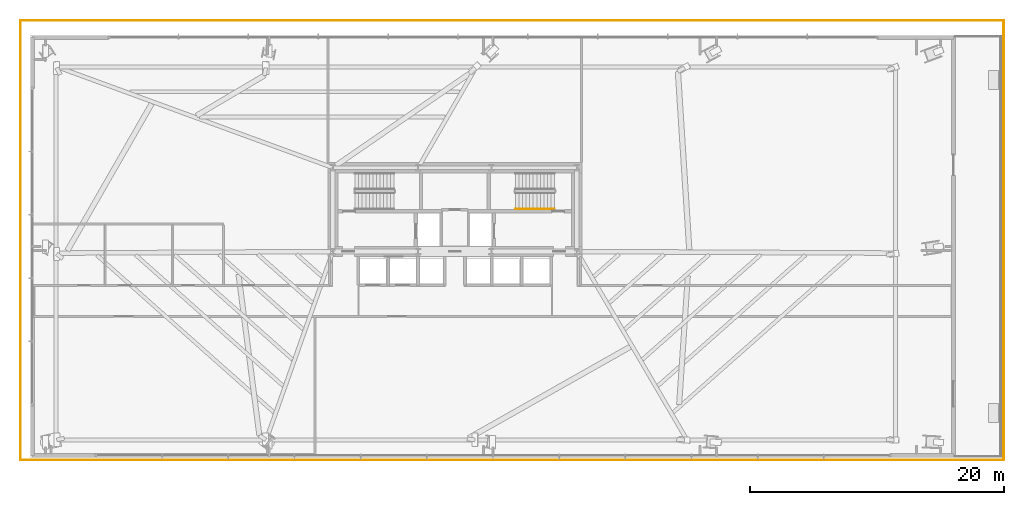
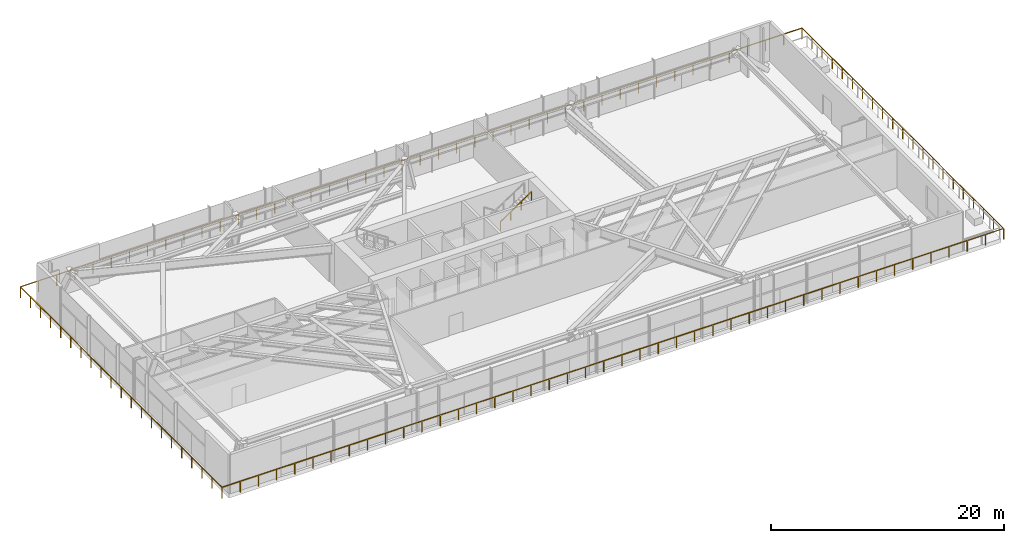
# One storey, part 30 of 33: 3 railings.
"""IFC4 building model written with IfcOpenShell, lengths in metres."""

from ifc_helpers import new_model, si_unit, direction, frame, origin, origin_2d, place, context, subcontext, project, spatial, rectangle, extrude, source, transform, mapped, material, type_object, type_shapes, element, save


model = new_model("IFC4")

# Units and contexts
model_context = context("Model", 3, precision=1e-05, world=origin(), true_north=direction((0.0, 1.0)))
body_context = subcontext(model_context, "Body", "Model", "MODEL_VIEW")
ifc_project = project(units=[si_unit("LENGTHUNIT", "METRE"), si_unit("AREAUNIT", "SQUARE_METRE"), si_unit("VOLUMEUNIT", "CUBIC_METRE"), si_unit("PLANEANGLEUNIT", "RADIAN"), si_unit("MASSUNIT", "GRAM", prefix="KILO")], contexts=[model_context])

# Site, building, storey
site_placement = place(None, origin())
site = spatial("IfcSite", under=ifc_project, at=site_placement, CompositionType="ELEMENT")
building_placement = place(site_placement, origin())
building = spatial("IfcBuilding", under=site, at=building_placement, Name="Astriad Promenade Condominiums", CompositionType="ELEMENT")
storey_placement = place(building_placement, frame((0.0, 0.0, 9.5)))
storey = spatial("IfcBuildingStorey", under=building, at=storey_placement, Name="L02", CompositionType="ELEMENT", Elevation=9.5)

# Railings
ifc_material_1 = material(Name="Anodised Aluminium and Glass Terrace Guardrail", Category="aluminium")
railing_type_1 = type_object("IfcRailingType", Name="GRD-TERR-1150", PredefinedType="GUARDRAIL", material=ifc_material_1)
shared_shape_1 = source(origin(), body_context, "Body", "SweptSolid", [
    extrude(rectangle(XDim=0.048095703125, YDim=0.048095703125, at=origin_2d()), frame((0.0, 0.0, 1.1259765625), z_axis=(0.0, -1.0, 0.0), x_axis=(1.0, 0.0, 0.0)), (0.0, 0.0, 1.0), 34.60009765625),
    extrude(rectangle(XDim=0.048095703125, YDim=0.048095703125, at=origin_2d()), frame((0.0, -34.60009765625, 1.1259765625), z_axis=(-1.0, 0.0, 0.0), x_axis=(0.0, -1.0, 0.0)), (0.0, 0.0, 1.0), 77.39990234375),
    extrude(rectangle(XDim=0.0419921875, YDim=0.0419921875, at=origin_2d()), origin(), (0.0, 0.0, 1.0), 1.101806640625),
    extrude(rectangle(XDim=0.0419921875, YDim=0.0419921875, at=origin_2d()), frame((0.0, -1.72998046875, 0.0)), (0.0, 0.0, 1.0), 1.101806640625),
    extrude(rectangle(XDim=0.0419921875, YDim=0.0419921875, at=origin_2d()), frame((0.0, -3.4599609375, 0.0)), (0.0, 0.0, 1.0), 1.101806640625),
    extrude(rectangle(XDim=0.0419921875, YDim=0.0419921875, at=origin_2d()), frame((0.0, -5.18994140625, 0.0)), (0.0, 0.0, 1.0), 1.101806640625),
    extrude(rectangle(XDim=0.0419921875, YDim=0.0419921875, at=origin_2d()), frame((0.0, -6.919921875, 0.0)), (0.0, 0.0, 1.0), 1.101806640625),
    extrude(rectangle(XDim=0.0419921875, YDim=0.0419921875, at=origin_2d()), frame((0.0, -8.64990234375, 0.0)), (0.0, 0.0, 1.0), 1.101806640625),
    extrude(rectangle(XDim=0.0419921875, YDim=0.0419921875, at=origin_2d()), frame((0.0, -10.380126953125, 0.0)), (0.0, 0.0, 1.0), 1.101806640625),
    extrude(rectangle(XDim=0.0419921875, YDim=0.0419921875, at=origin_2d()), frame((0.0, -12.110107421875, 0.0)), (0.0, 0.0, 1.0), 1.101806640625),
    extrude(rectangle(XDim=0.0419921875, YDim=0.0419921875, at=origin_2d()), frame((0.0, -13.840087890625, 0.0)), (0.0, 0.0, 1.0), 1.101806640625),
    extrude(rectangle(XDim=0.0419921875, YDim=0.0419921875, at=origin_2d()), frame((0.0, -15.570068359375, 0.0)), (0.0, 0.0, 1.0), 1.101806640625),
    extrude(rectangle(XDim=0.0419921875, YDim=0.0419921875, at=origin_2d()), frame((0.0, -17.300048828125, 0.0)), (0.0, 0.0, 1.0), 1.101806640625),
    extrude(rectangle(XDim=0.0419921875, YDim=0.0419921875, at=origin_2d()), frame((0.0, -19.030029296875, 0.0)), (0.0, 0.0, 1.0), 1.101806640625),
    extrude(rectangle(XDim=0.0419921875, YDim=0.0419921875, at=origin_2d()), frame((0.0, -20.760009765625, 0.0)), (0.0, 0.0, 1.0), 1.101806640625),
    extrude(rectangle(XDim=0.0419921875, YDim=0.0419921875, at=origin_2d()), frame((0.0, -22.489990234375, 0.0)), (0.0, 0.0, 1.0), 1.101806640625),
    extrude(rectangle(XDim=0.0419921875, YDim=0.0419921875, at=origin_2d()), frame((0.0, -24.219970703125, 0.0)), (0.0, 0.0, 1.0), 1.101806640625),
    extrude(rectangle(XDim=0.0419921875, YDim=0.0419921875, at=origin_2d()), frame((0.0, -25.9501953125, 0.0)), (0.0, 0.0, 1.0), 1.101806640625),
    extrude(rectangle(XDim=0.0419921875, YDim=0.0419921875, at=origin_2d()), frame((0.0, -27.68017578125, 0.0)), (0.0, 0.0, 1.0), 1.101806640625),
    extrude(rectangle(XDim=0.0419921875, YDim=0.0419921875, at=origin_2d()), frame((0.0, -29.41015625, 0.0)), (0.0, 0.0, 1.0), 1.101806640625),
    extrude(rectangle(XDim=0.0419921875, YDim=0.0419921875, at=origin_2d()), frame((0.0, -31.14013671875, 0.0)), (0.0, 0.0, 1.0), 1.101806640625),
    extrude(rectangle(XDim=0.0419921875, YDim=0.0419921875, at=origin_2d()), frame((0.0, -32.8701171875, 0.0)), (0.0, 0.0, 1.0), 1.101806640625),
    extrude(rectangle(XDim=0.0419921875, YDim=0.0419921875, at=origin_2d()), frame((0.0, -34.60009765625, 0.0)), (0.0, 0.0, 1.0), 1.101806640625),
    extrude(rectangle(XDim=0.0419921875, YDim=0.0419921875, at=origin_2d()), frame((-1.800048828125, -34.60009765625, 0.0)), (0.0, 0.0, 1.0), 1.101806640625),
    extrude(rectangle(XDim=0.0419921875, YDim=0.0419921875, at=origin_2d()), frame((-3.60009765625, -34.60009765625, 0.0)), (0.0, 0.0, 1.0), 1.101806640625),
    extrude(rectangle(XDim=0.0419921875, YDim=0.0419921875, at=origin_2d()), frame((-5.39990234375, -34.60009765625, 0.0)), (0.0, 0.0, 1.0), 1.101806640625),
    extrude(rectangle(XDim=0.0419921875, YDim=0.0419921875, at=origin_2d()), frame((-7.199951171875, -34.60009765625, 0.0)), (0.0, 0.0, 1.0), 1.101806640625),
    extrude(rectangle(XDim=0.0419921875, YDim=0.0419921875, at=origin_2d()), frame((-9.0, -34.60009765625, 0.0)), (0.0, 0.0, 1.0), 1.101806640625),
    extrude(rectangle(XDim=0.0419921875, YDim=0.0419921875, at=origin_2d()), frame((-10.800048828125, -34.60009765625, 0.0)), (0.0, 0.0, 1.0), 1.101806640625),
    extrude(rectangle(XDim=0.0419921875, YDim=0.0419921875, at=origin_2d()), frame((-12.60009765625, -34.60009765625, 0.0)), (0.0, 0.0, 1.0), 1.101806640625),
    extrude(rectangle(XDim=0.0419921875, YDim=0.0419921875, at=origin_2d()), frame((-14.39990234375, -34.60009765625, 0.0)), (0.0, 0.0, 1.0), 1.101806640625),
    extrude(rectangle(XDim=0.0419921875, YDim=0.0419921875, at=origin_2d()), frame((-16.199951171875, -34.60009765625, 0.0)), (0.0, 0.0, 1.0), 1.101806640625),
    extrude(rectangle(XDim=0.0419921875, YDim=0.0419921875, at=origin_2d()), frame((-18.0, -34.60009765625, 0.0)), (0.0, 0.0, 1.0), 1.101806640625),
    extrude(rectangle(XDim=0.0419921875, YDim=0.0419921875, at=origin_2d()), frame((-19.800048828125, -34.60009765625, 0.0)), (0.0, 0.0, 1.0), 1.101806640625),
    extrude(rectangle(XDim=0.0419921875, YDim=0.0419921875, at=origin_2d()), frame((-21.599853515625, -34.60009765625, 0.0)), (0.0, 0.0, 1.0), 1.101806640625),
    extrude(rectangle(XDim=0.0419921875, YDim=0.0419921875, at=origin_2d()), frame((-23.39990234375, -34.60009765625, 0.0)), (0.0, 0.0, 1.0), 1.101806640625),
    extrude(rectangle(XDim=0.0419921875, YDim=0.0419921875, at=origin_2d()), frame((-25.199951171875, -34.60009765625, 0.0)), (0.0, 0.0, 1.0), 1.101806640625),
    extrude(rectangle(XDim=0.0419921875, YDim=0.0419921875, at=origin_2d()), frame((-27.0, -34.60009765625, 0.0)), (0.0, 0.0, 1.0), 1.101806640625),
    extrude(rectangle(XDim=0.0419921875, YDim=0.0419921875, at=origin_2d()), frame((-28.800048828125, -34.60009765625, 0.0)), (0.0, 0.0, 1.0), 1.101806640625),
    extrude(rectangle(XDim=0.0419921875, YDim=0.0419921875, at=origin_2d()), frame((-30.599853515625, -34.60009765625, 0.0)), (0.0, 0.0, 1.0), 1.101806640625),
    extrude(rectangle(XDim=0.0419921875, YDim=0.0419921875, at=origin_2d()), frame((-32.39990234375, -34.60009765625, 0.0)), (0.0, 0.0, 1.0), 1.101806640625),
    extrude(rectangle(XDim=0.0419921875, YDim=0.0419921875, at=origin_2d()), frame((-34.199951171875, -34.60009765625, 0.0)), (0.0, 0.0, 1.0), 1.101806640625),
    extrude(rectangle(XDim=0.0419921875, YDim=0.0419921875, at=origin_2d()), frame((-36.0, -34.60009765625, 0.0)), (0.0, 0.0, 1.0), 1.101806640625),
    extrude(rectangle(XDim=0.0419921875, YDim=0.0419921875, at=origin_2d()), frame((-37.800048828125, -34.60009765625, 0.0)), (0.0, 0.0, 1.0), 1.101806640625),
    extrude(rectangle(XDim=0.0419921875, YDim=0.0419921875, at=origin_2d()), frame((-39.599853515625, -34.60009765625, 0.0)), (0.0, 0.0, 1.0), 1.101806640625),
    extrude(rectangle(XDim=0.0419921875, YDim=0.0419921875, at=origin_2d()), frame((-41.39990234375, -34.60009765625, 0.0)), (0.0, 0.0, 1.0), 1.101806640625),
    extrude(rectangle(XDim=0.0419921875, YDim=0.0419921875, at=origin_2d()), frame((-43.199951171875, -34.60009765625, 0.0)), (0.0, 0.0, 1.0), 1.101806640625),
    extrude(rectangle(XDim=0.0419921875, YDim=0.0419921875, at=origin_2d()), frame((-45.0, -34.60009765625, 0.0)), (0.0, 0.0, 1.0), 1.101806640625),
    extrude(rectangle(XDim=0.0419921875, YDim=0.0419921875, at=origin_2d()), frame((-46.800048828125, -34.60009765625, 0.0)), (0.0, 0.0, 1.0), 1.101806640625),
    extrude(rectangle(XDim=0.0419921875, YDim=0.0419921875, at=origin_2d()), frame((-48.599853515625, -34.60009765625, 0.0)), (0.0, 0.0, 1.0), 1.101806640625),
    extrude(rectangle(XDim=0.0419921875, YDim=0.0419921875, at=origin_2d()), frame((-50.39990234375, -34.60009765625, 0.0)), (0.0, 0.0, 1.0), 1.101806640625),
    extrude(rectangle(XDim=0.0419921875, YDim=0.0419921875, at=origin_2d()), frame((-52.199951171875, -34.60009765625, 0.0)), (0.0, 0.0, 1.0), 1.101806640625),
    extrude(rectangle(XDim=0.0419921875, YDim=0.0419921875, at=origin_2d()), frame((-54.0, -34.60009765625, 0.0)), (0.0, 0.0, 1.0), 1.101806640625),
    extrude(rectangle(XDim=0.0419921875, YDim=0.0419921875, at=origin_2d()), frame((-55.800048828125, -34.60009765625, 0.0)), (0.0, 0.0, 1.0), 1.101806640625),
    extrude(rectangle(XDim=0.0419921875, YDim=0.0419921875, at=origin_2d()), frame((-57.599853515625, -34.60009765625, 0.0)), (0.0, 0.0, 1.0), 1.101806640625),
    extrude(rectangle(XDim=0.0419921875, YDim=0.0419921875, at=origin_2d()), frame((-59.39990234375, -34.60009765625, 0.0)), (0.0, 0.0, 1.0), 1.101806640625),
    extrude(rectangle(XDim=0.0419921875, YDim=0.0419921875, at=origin_2d()), frame((-61.199951171875, -34.60009765625, 0.0)), (0.0, 0.0, 1.0), 1.101806640625),
    extrude(rectangle(XDim=0.0419921875, YDim=0.0419921875, at=origin_2d()), frame((-63.0, -34.60009765625, 0.0)), (0.0, 0.0, 1.0), 1.101806640625),
    extrude(rectangle(XDim=0.0419921875, YDim=0.0419921875, at=origin_2d()), frame((-64.7998046875, -34.60009765625, 0.0)), (0.0, 0.0, 1.0), 1.101806640625),
    extrude(rectangle(XDim=0.0419921875, YDim=0.0419921875, at=origin_2d()), frame((-66.599853515625, -34.60009765625, 0.0)), (0.0, 0.0, 1.0), 1.101806640625),
    extrude(rectangle(XDim=0.0419921875, YDim=0.0419921875, at=origin_2d()), frame((-68.39990234375, -34.60009765625, 0.0)), (0.0, 0.0, 1.0), 1.101806640625),
    extrude(rectangle(XDim=0.0419921875, YDim=0.0419921875, at=origin_2d()), frame((-70.199951171875, -34.60009765625, 0.0)), (0.0, 0.0, 1.0), 1.101806640625),
    extrude(rectangle(XDim=0.0419921875, YDim=0.0419921875, at=origin_2d()), frame((-72.0, -34.60009765625, 0.0)), (0.0, 0.0, 1.0), 1.101806640625),
    extrude(rectangle(XDim=0.0419921875, YDim=0.0419921875, at=origin_2d()), frame((-73.7998046875, -34.60009765625, 0.0)), (0.0, 0.0, 1.0), 1.101806640625),
    extrude(rectangle(XDim=0.0419921875, YDim=0.0419921875, at=origin_2d()), frame((-75.599853515625, -34.60009765625, 0.0)), (0.0, 0.0, 1.0), 1.101806640625),
    extrude(rectangle(XDim=0.0419921875, YDim=0.0419921875, at=origin_2d()), frame((-77.39990234375, -34.60009765625, 0.0)), (0.0, 0.0, 1.0), 1.101806640625),
])
railing_1_placement = place(storey_placement, frame((79.199951171875, 35.60009765625, 0.0)))
element("IfcRailing", 1, at=railing_1_placement, inside=storey, type_object=railing_type_1, Name="GRD-PSTEP-L02-01", PredefinedType="GUARDRAIL", context=body_context, shape_type="MappedRepresentation", body=[
    mapped(shared_shape_1, transform((0.0, 0.0, 0.0), scale=1.0)),
])
shared_shape_2 = source(origin(), body_context, "Body", "SweptSolid", [
    extrude(rectangle(XDim=0.048095703125, YDim=0.048095703125, at=origin_2d()), frame((0.0, 0.0, 1.1259765625), z_axis=(0.0, 1.0, 0.0), x_axis=(-1.0, 0.0, 0.0)), (0.0, 0.0, 1.0), 34.60009765625),
    extrude(rectangle(XDim=0.048095703125, YDim=0.048095703125, at=origin_2d()), frame((0.0, 34.60009765625, 1.1259765625), z_axis=(1.0, 0.0, 0.0), x_axis=(0.0, 1.0, 0.0)), (0.0, 0.0, 1.0), 77.39990234375),
    extrude(rectangle(XDim=0.0419921875, YDim=0.0419921875, at=origin_2d()), origin(), (0.0, 0.0, 1.0), 1.101806640625),
    extrude(rectangle(XDim=0.0419921875, YDim=0.0419921875, at=origin_2d()), frame((0.0, 1.72998046875, 0.0)), (0.0, 0.0, 1.0), 1.101806640625),
    extrude(rectangle(XDim=0.0419921875, YDim=0.0419921875, at=origin_2d()), frame((0.0, 3.4599609375, 0.0)), (0.0, 0.0, 1.0), 1.101806640625),
    extrude(rectangle(XDim=0.0419921875, YDim=0.0419921875, at=origin_2d()), frame((0.0, 5.18994140625, 0.0)), (0.0, 0.0, 1.0), 1.101806640625),
    extrude(rectangle(XDim=0.0419921875, YDim=0.0419921875, at=origin_2d()), frame((0.0, 6.919921875, 0.0)), (0.0, 0.0, 1.0), 1.101806640625),
    extrude(rectangle(XDim=0.0419921875, YDim=0.0419921875, at=origin_2d()), frame((0.0, 8.64990234375, 0.0)), (0.0, 0.0, 1.0), 1.101806640625),
    extrude(rectangle(XDim=0.0419921875, YDim=0.0419921875, at=origin_2d()), frame((0.0, 10.380126953125, 0.0)), (0.0, 0.0, 1.0), 1.101806640625),
    extrude(rectangle(XDim=0.0419921875, YDim=0.0419921875, at=origin_2d()), frame((0.0, 12.110107421875, 0.0)), (0.0, 0.0, 1.0), 1.101806640625),
    extrude(rectangle(XDim=0.0419921875, YDim=0.0419921875, at=origin_2d()), frame((0.0, 13.840087890625, 0.0)), (0.0, 0.0, 1.0), 1.101806640625),
    extrude(rectangle(XDim=0.0419921875, YDim=0.0419921875, at=origin_2d()), frame((0.0, 15.570068359375, 0.0)), (0.0, 0.0, 1.0), 1.101806640625),
    extrude(rectangle(XDim=0.0419921875, YDim=0.0419921875, at=origin_2d()), frame((0.0, 17.300048828125, 0.0)), (0.0, 0.0, 1.0), 1.101806640625),
    extrude(rectangle(XDim=0.0419921875, YDim=0.0419921875, at=origin_2d()), frame((0.0, 19.030029296875, 0.0)), (0.0, 0.0, 1.0), 1.101806640625),
    extrude(rectangle(XDim=0.0419921875, YDim=0.0419921875, at=origin_2d()), frame((0.0, 20.760009765625, 0.0)), (0.0, 0.0, 1.0), 1.101806640625),
    extrude(rectangle(XDim=0.0419921875, YDim=0.0419921875, at=origin_2d()), frame((0.0, 22.489990234375, 0.0)), (0.0, 0.0, 1.0), 1.101806640625),
    extrude(rectangle(XDim=0.0419921875, YDim=0.0419921875, at=origin_2d()), frame((0.0, 24.219970703125, 0.0)), (0.0, 0.0, 1.0), 1.101806640625),
    extrude(rectangle(XDim=0.0419921875, YDim=0.0419921875, at=origin_2d()), frame((0.0, 25.9501953125, 0.0)), (0.0, 0.0, 1.0), 1.101806640625),
    extrude(rectangle(XDim=0.0419921875, YDim=0.0419921875, at=origin_2d()), frame((0.0, 27.68017578125, 0.0)), (0.0, 0.0, 1.0), 1.101806640625),
    extrude(rectangle(XDim=0.0419921875, YDim=0.0419921875, at=origin_2d()), frame((0.0, 29.41015625, 0.0)), (0.0, 0.0, 1.0), 1.101806640625),
    extrude(rectangle(XDim=0.0419921875, YDim=0.0419921875, at=origin_2d()), frame((0.0, 31.14013671875, 0.0)), (0.0, 0.0, 1.0), 1.101806640625),
    extrude(rectangle(XDim=0.0419921875, YDim=0.0419921875, at=origin_2d()), frame((0.0, 32.8701171875, 0.0)), (0.0, 0.0, 1.0), 1.101806640625),
    extrude(rectangle(XDim=0.0419921875, YDim=0.0419921875, at=origin_2d()), frame((0.0, 34.60009765625, 0.0)), (0.0, 0.0, 1.0), 1.101806640625),
    extrude(rectangle(XDim=0.0419921875, YDim=0.0419921875, at=origin_2d()), frame((1.800048828125, 34.60009765625, 0.0)), (0.0, 0.0, 1.0), 1.101806640625),
    extrude(rectangle(XDim=0.0419921875, YDim=0.0419921875, at=origin_2d()), frame((3.60009765625, 34.60009765625, 0.0)), (0.0, 0.0, 1.0), 1.101806640625),
    extrude(rectangle(XDim=0.0419921875, YDim=0.0419921875, at=origin_2d()), frame((5.39990234375, 34.60009765625, 0.0)), (0.0, 0.0, 1.0), 1.101806640625),
    extrude(rectangle(XDim=0.0419921875, YDim=0.0419921875, at=origin_2d()), frame((7.199951171875, 34.60009765625, 0.0)), (0.0, 0.0, 1.0), 1.101806640625),
    extrude(rectangle(XDim=0.0419921875, YDim=0.0419921875, at=origin_2d()), frame((9.0, 34.60009765625, 0.0)), (0.0, 0.0, 1.0), 1.101806640625),
    extrude(rectangle(XDim=0.0419921875, YDim=0.0419921875, at=origin_2d()), frame((10.800048828125, 34.60009765625, 0.0)), (0.0, 0.0, 1.0), 1.101806640625),
    extrude(rectangle(XDim=0.0419921875, YDim=0.0419921875, at=origin_2d()), frame((12.60009765625, 34.60009765625, 0.0)), (0.0, 0.0, 1.0), 1.101806640625),
    extrude(rectangle(XDim=0.0419921875, YDim=0.0419921875, at=origin_2d()), frame((14.39990234375, 34.60009765625, 0.0)), (0.0, 0.0, 1.0), 1.101806640625),
    extrude(rectangle(XDim=0.0419921875, YDim=0.0419921875, at=origin_2d()), frame((16.199951171875, 34.60009765625, 0.0)), (0.0, 0.0, 1.0), 1.101806640625),
    extrude(rectangle(XDim=0.0419921875, YDim=0.0419921875, at=origin_2d()), frame((18.0, 34.60009765625, 0.0)), (0.0, 0.0, 1.0), 1.101806640625),
    extrude(rectangle(XDim=0.0419921875, YDim=0.0419921875, at=origin_2d()), frame((19.800048828125, 34.60009765625, 0.0)), (0.0, 0.0, 1.0), 1.101806640625),
    extrude(rectangle(XDim=0.0419921875, YDim=0.0419921875, at=origin_2d()), frame((21.599853515625, 34.60009765625, 0.0)), (0.0, 0.0, 1.0), 1.101806640625),
    extrude(rectangle(XDim=0.0419921875, YDim=0.0419921875, at=origin_2d()), frame((23.39990234375, 34.60009765625, 0.0)), (0.0, 0.0, 1.0), 1.101806640625),
    extrude(rectangle(XDim=0.0419921875, YDim=0.0419921875, at=origin_2d()), frame((25.199951171875, 34.60009765625, 0.0)), (0.0, 0.0, 1.0), 1.101806640625),
    extrude(rectangle(XDim=0.0419921875, YDim=0.0419921875, at=origin_2d()), frame((27.0, 34.60009765625, 0.0)), (0.0, 0.0, 1.0), 1.101806640625),
    extrude(rectangle(XDim=0.0419921875, YDim=0.0419921875, at=origin_2d()), frame((28.800048828125, 34.60009765625, 0.0)), (0.0, 0.0, 1.0), 1.101806640625),
    extrude(rectangle(XDim=0.0419921875, YDim=0.0419921875, at=origin_2d()), frame((30.599853515625, 34.60009765625, 0.0)), (0.0, 0.0, 1.0), 1.101806640625),
    extrude(rectangle(XDim=0.0419921875, YDim=0.0419921875, at=origin_2d()), frame((32.39990234375, 34.60009765625, 0.0)), (0.0, 0.0, 1.0), 1.101806640625),
    extrude(rectangle(XDim=0.0419921875, YDim=0.0419921875, at=origin_2d()), frame((34.199951171875, 34.60009765625, 0.0)), (0.0, 0.0, 1.0), 1.101806640625),
    extrude(rectangle(XDim=0.0419921875, YDim=0.0419921875, at=origin_2d()), frame((36.0, 34.60009765625, 0.0)), (0.0, 0.0, 1.0), 1.101806640625),
    extrude(rectangle(XDim=0.0419921875, YDim=0.0419921875, at=origin_2d()), frame((37.800048828125, 34.60009765625, 0.0)), (0.0, 0.0, 1.0), 1.101806640625),
    extrude(rectangle(XDim=0.0419921875, YDim=0.0419921875, at=origin_2d()), frame((39.599853515625, 34.60009765625, 0.0)), (0.0, 0.0, 1.0), 1.101806640625),
    extrude(rectangle(XDim=0.0419921875, YDim=0.0419921875, at=origin_2d()), frame((41.39990234375, 34.60009765625, 0.0)), (0.0, 0.0, 1.0), 1.101806640625),
    extrude(rectangle(XDim=0.0419921875, YDim=0.0419921875, at=origin_2d()), frame((43.199951171875, 34.60009765625, 0.0)), (0.0, 0.0, 1.0), 1.101806640625),
    extrude(rectangle(XDim=0.0419921875, YDim=0.0419921875, at=origin_2d()), frame((45.0, 34.60009765625, 0.0)), (0.0, 0.0, 1.0), 1.101806640625),
    extrude(rectangle(XDim=0.0419921875, YDim=0.0419921875, at=origin_2d()), frame((46.800048828125, 34.60009765625, 0.0)), (0.0, 0.0, 1.0), 1.101806640625),
    extrude(rectangle(XDim=0.0419921875, YDim=0.0419921875, at=origin_2d()), frame((48.599853515625, 34.60009765625, 0.0)), (0.0, 0.0, 1.0), 1.101806640625),
    extrude(rectangle(XDim=0.0419921875, YDim=0.0419921875, at=origin_2d()), frame((50.39990234375, 34.60009765625, 0.0)), (0.0, 0.0, 1.0), 1.101806640625),
    extrude(rectangle(XDim=0.0419921875, YDim=0.0419921875, at=origin_2d()), frame((52.199951171875, 34.60009765625, 0.0)), (0.0, 0.0, 1.0), 1.101806640625),
    extrude(rectangle(XDim=0.0419921875, YDim=0.0419921875, at=origin_2d()), frame((54.0, 34.60009765625, 0.0)), (0.0, 0.0, 1.0), 1.101806640625),
    extrude(rectangle(XDim=0.0419921875, YDim=0.0419921875, at=origin_2d()), frame((55.800048828125, 34.60009765625, 0.0)), (0.0, 0.0, 1.0), 1.101806640625),
    extrude(rectangle(XDim=0.0419921875, YDim=0.0419921875, at=origin_2d()), frame((57.599853515625, 34.60009765625, 0.0)), (0.0, 0.0, 1.0), 1.101806640625),
    extrude(rectangle(XDim=0.0419921875, YDim=0.0419921875, at=origin_2d()), frame((59.39990234375, 34.60009765625, 0.0)), (0.0, 0.0, 1.0), 1.101806640625),
    extrude(rectangle(XDim=0.0419921875, YDim=0.0419921875, at=origin_2d()), frame((61.199951171875, 34.60009765625, 0.0)), (0.0, 0.0, 1.0), 1.101806640625),
    extrude(rectangle(XDim=0.0419921875, YDim=0.0419921875, at=origin_2d()), frame((63.0, 34.60009765625, 0.0)), (0.0, 0.0, 1.0), 1.101806640625),
    extrude(rectangle(XDim=0.0419921875, YDim=0.0419921875, at=origin_2d()), frame((64.7998046875, 34.60009765625, 0.0)), (0.0, 0.0, 1.0), 1.101806640625),
    extrude(rectangle(XDim=0.0419921875, YDim=0.0419921875, at=origin_2d()), frame((66.599853515625, 34.60009765625, 0.0)), (0.0, 0.0, 1.0), 1.101806640625),
    extrude(rectangle(XDim=0.0419921875, YDim=0.0419921875, at=origin_2d()), frame((68.39990234375, 34.60009765625, 0.0)), (0.0, 0.0, 1.0), 1.101806640625),
    extrude(rectangle(XDim=0.0419921875, YDim=0.0419921875, at=origin_2d()), frame((70.199951171875, 34.60009765625, 0.0)), (0.0, 0.0, 1.0), 1.101806640625),
    extrude(rectangle(XDim=0.0419921875, YDim=0.0419921875, at=origin_2d()), frame((72.0, 34.60009765625, 0.0)), (0.0, 0.0, 1.0), 1.101806640625),
    extrude(rectangle(XDim=0.0419921875, YDim=0.0419921875, at=origin_2d()), frame((73.7998046875, 34.60009765625, 0.0)), (0.0, 0.0, 1.0), 1.101806640625),
    extrude(rectangle(XDim=0.0419921875, YDim=0.0419921875, at=origin_2d()), frame((75.599853515625, 34.60009765625, 0.0)), (0.0, 0.0, 1.0), 1.101806640625),
    extrude(rectangle(XDim=0.0419921875, YDim=0.0419921875, at=origin_2d()), frame((77.39990234375, 34.60009765625, 0.0)), (0.0, 0.0, 1.0), 1.101806640625),
])
type_shapes(railing_type_1, [shared_shape_1, shared_shape_2])
railing_2_placement = place(storey_placement, frame((1.800048828125, 1.0, 0.0)))
element("IfcRailing", 2, at=railing_2_placement, inside=storey, type_object=railing_type_1, Name="GRD-PSTEP-L02-02", PredefinedType="GUARDRAIL", context=body_context, shape_type="MappedRepresentation", body=[
    mapped(shared_shape_2, transform((0.0, 0.0, 0.0), scale=1.0)),
])
ifc_material_2 = material(Name="Brushed Stainless Steel Handrail", Category="steel")
railing_type_2 = type_object("IfcRailingType", Name="HRL-STAIR-920", PredefinedType="HANDRAIL", material=ifc_material_2)
shared_shape_3 = source(origin(), body_context, "Body", "SweptSolid", [
    extrude(rectangle(XDim=0.048095703125, YDim=0.048095703125, at=origin_2d()), frame((0.0, 0.0, 0.8759765625), z_axis=(0.830913701846, 0.0, 0.55640131208), x_axis=(0.0, 1.0, 0.0)), (0.0, 0.0, 1.0), 3.706787109375),
    extrude(rectangle(XDim=0.0419921875, YDim=0.0419921875, at=origin_2d()), origin(), (0.0, 0.0, 1.0), 0.851806640625),
    extrude(rectangle(XDim=0.0419921875, YDim=0.0419921875, at=origin_2d()), frame((1.026611328125, 0.0, 0.6875)), (0.0, 0.0, 1.0), 0.851806640625),
    extrude(rectangle(XDim=0.0419921875, YDim=0.0419921875, at=origin_2d()), frame((2.053466796875, 0.0, 1.375)), (0.0, 0.0, 1.0), 0.851806640625),
    extrude(rectangle(XDim=0.0419921875, YDim=0.0419921875, at=origin_2d()), frame((3.080078125, 0.0, 2.0625)), (0.0, 0.0, 1.0), 0.851806640625),
])
type_shapes(railing_type_2, [shared_shape_3])
railing_3_placement = place(storey_placement, frame((40.77001953125, 20.75, 2.4375)))
element("IfcRailing", 3, at=railing_3_placement, inside=storey, type_object=railing_type_2, Name="L02 ST-2 stair handrail 2", PredefinedType="HANDRAIL", context=body_context, shape_type="MappedRepresentation", body=[
    mapped(shared_shape_3, transform((0.0, 0.0, 0.0), scale=1.0)),
])

save(model, "model.ifc")
